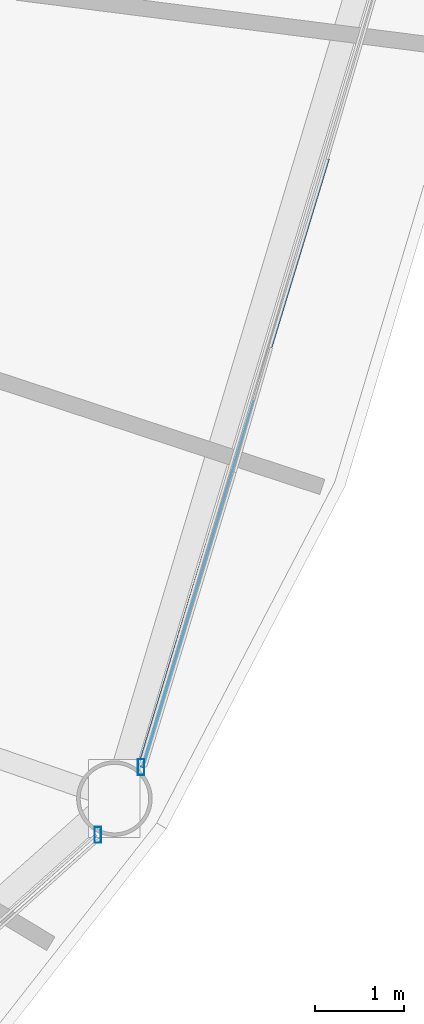
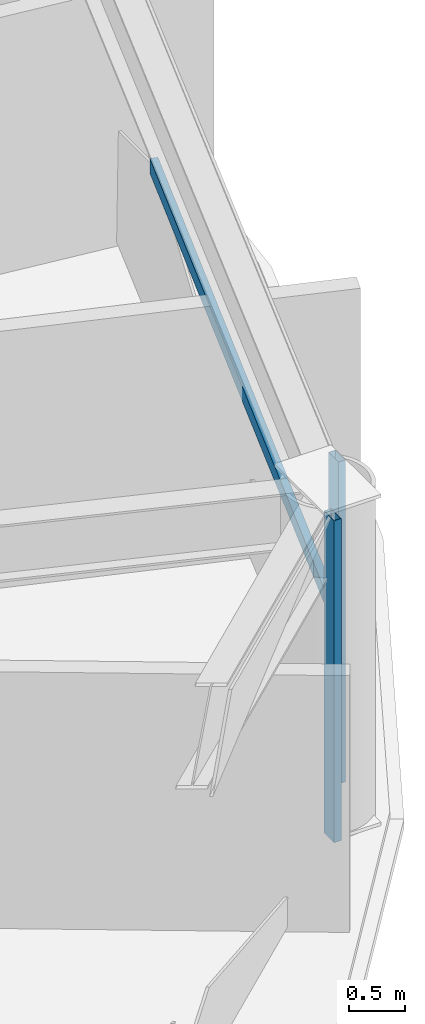
# One storey, part 12 of 32: 3 members, 2 elements without a shape of their own.
"""IFC4 building model written with IfcOpenShell, lengths in metres."""

from ifc_helpers import new_model, si_unit, direction, frame, origin, origin_2d, place, context, subcontext, project, spatial, hollow_rectangle, extrude, material, layer, layer_set, material_profile, profile_set, type_object, element, aggregate, save


model = new_model("IFC4")

# Units and contexts
model_context = context("Model", 3, precision=1e-05, world=origin(), true_north=direction((0.0, 1.0)))
body_context = subcontext(model_context, "Body", "Model", "MODEL_VIEW")
ifc_project = project(units=[si_unit("LENGTHUNIT", "METRE"), si_unit("AREAUNIT", "SQUARE_METRE"), si_unit("VOLUMEUNIT", "CUBIC_METRE"), si_unit("PLANEANGLEUNIT", "RADIAN"), si_unit("MASSUNIT", "GRAM", prefix="KILO")], contexts=[model_context])

# Site, building, storey
site_placement = place(None, origin())
site = spatial("IfcSite", under=ifc_project, at=site_placement, CompositionType="ELEMENT")
building_placement = place(site_placement, origin())
building = spatial("IfcBuilding", under=site, at=building_placement, Name="Vantalir Tower", CompositionType="ELEMENT")
storey_placement = place(building_placement, frame((0.0, 0.0, 45.75)))
storey = spatial("IfcBuildingStorey", under=building, at=storey_placement, Name="L10", CompositionType="ELEMENT", Elevation=45.75)

# Curtain wall, member
ifc_material_1 = material(Name="Champagne-silver PVDF aluminium and double-silver Low-E glass", Category="aluminium")
ifc_layer = layer(ifc_material_1, 0.18994140625)
ifc_layer_set = layer_set([ifc_layer], Name="Champagne-silver PVDF aluminium and double-silver Low-E glass")
curtain_wall_type = type_object("IfcCurtainWallType", Name="CW-DIAMOND-Z1", PredefinedType="USERDEFINED", material=ifc_layer_set)
curtain_wall_1_placement = place(storey_placement, origin())
curtain_wall_1 = element("IfcCurtainWall", 1, at=curtain_wall_1_placement, inside=storey, type_object=curtain_wall_type, Name="L10 Quilted Pyramid-Diamond Curtain Wall S11", ObjectType="UNITISED CURTAIN WALL", PredefinedType="USERDEFINED")
ifc_material_2 = material(Name="Champagne-silver PVDF aluminium 6063-T6", Category="aluminium")
ifc_material_profile_1 = material_profile(ifc_material_2, hollow_rectangle(XDim=0.074951171875, YDim=0.179931640625, WallThickness=0.00390625, at=origin_2d()), Name="Champagne-silver PVDF aluminium 6063-T6")
ifc_profile_set_1 = profile_set([ifc_material_profile_1], Name="Champagne-silver PVDF aluminium 6063-T6")
member_type_1 = type_object("IfcMemberType", Name="CWM-180x75", PredefinedType="MULLION", material=ifc_profile_set_1)
member_1_placement = place(storey_placement, frame((54.384033203125, 12.72900390625, 0.044921875), z_axis=(0.0, 0.0, 1.0), x_axis=(1.0, 0.0, 0.0)))
member_1 = element("IfcMember", 2, at=member_1_placement, type_object=member_type_1, Name="CW-L10-S11 Mullion 2", PredefinedType="MULLION", context=body_context, shape_type="SweptSolid", body=[
    extrude(hollow_rectangle(XDim=0.074951171875, YDim=0.179931640625, WallThickness=0.00390625, at=origin_2d()), origin(), (0.0, 0.0, 1.0), 3.47998046875),
])
aggregate(curtain_wall_1, [member_1])

# Curtain wall, members
curtain_wall_2_placement = place(storey_placement, origin())
curtain_wall_2 = element("IfcCurtainWall", 3, at=curtain_wall_2_placement, inside=storey, type_object=curtain_wall_type, Name="L10 Quilted Pyramid-Diamond Curtain Wall S12", ObjectType="UNITISED CURTAIN WALL", PredefinedType="USERDEFINED")
member_2_placement = place(storey_placement, frame((54.8701171875, 13.491943359375, 0.044921875), z_axis=(0.0, 0.0, 1.0), x_axis=(1.0, 0.0, 0.0)))
member_2 = element("IfcMember", 4, at=member_2_placement, type_object=member_type_1, Name="CW-L10-S12 Mullion 1", PredefinedType="MULLION", context=body_context, shape_type="SweptSolid", body=[
    extrude(hollow_rectangle(XDim=0.074951171875, YDim=0.179931640625, WallThickness=0.00390625, at=origin_2d()), origin(), (0.0, 0.0, 1.0), 3.47998046875),
])
ifc_material_profile_2 = material_profile(ifc_material_2, hollow_rectangle(XDim=0.074951171875, YDim=0.159912109375, WallThickness=0.00390625, at=origin_2d()), Name="Champagne-silver PVDF aluminium 6063-T6")
ifc_profile_set_2 = profile_set([ifc_material_profile_2], Name="Champagne-silver PVDF aluminium 6063-T6")
member_type_2 = type_object("IfcMemberType", Name="CWT-160x75", PredefinedType="USERDEFINED", material=ifc_profile_set_2)
member_3_placement = place(storey_placement, frame((54.8701171875, 13.491943359375, 1.784912109375), z_axis=(0.290979844257, 0.956729183331, 0.0), x_axis=(-0.956729183331, 0.290979844257, 0.0)))
member_3 = element("IfcMember", 5, at=member_3_placement, type_object=member_type_2, Name="CW-L10-S12 Pyramid Fold Ridge Transom", ObjectType="TRANSOM", PredefinedType="USERDEFINED", context=body_context, shape_type="SweptSolid", body=[
    extrude(hollow_rectangle(XDim=0.074951171875, YDim=0.159912109375, WallThickness=0.00390625, at=origin_2d()), origin(), (0.0, 0.0, 1.0), 7.161865234375),
])
aggregate(curtain_wall_2, [member_2, member_3])

save(model, "model.ifc")
